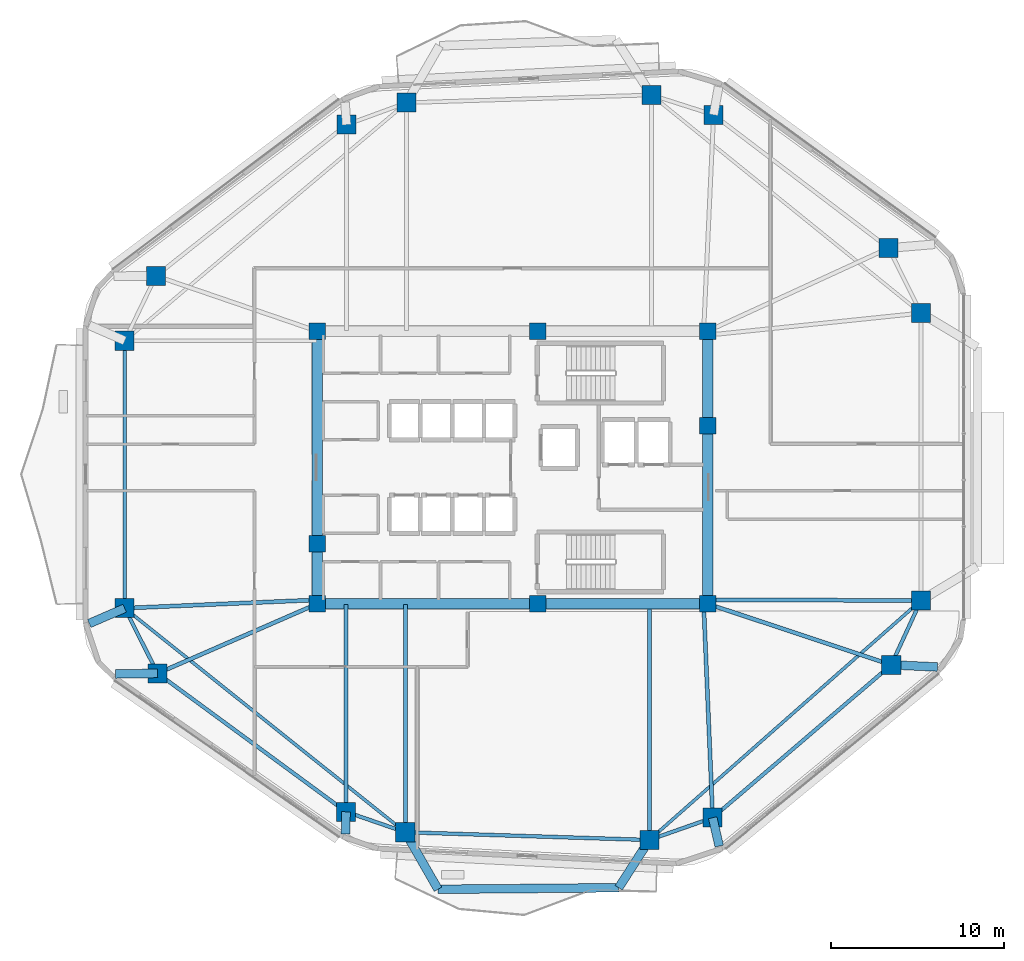
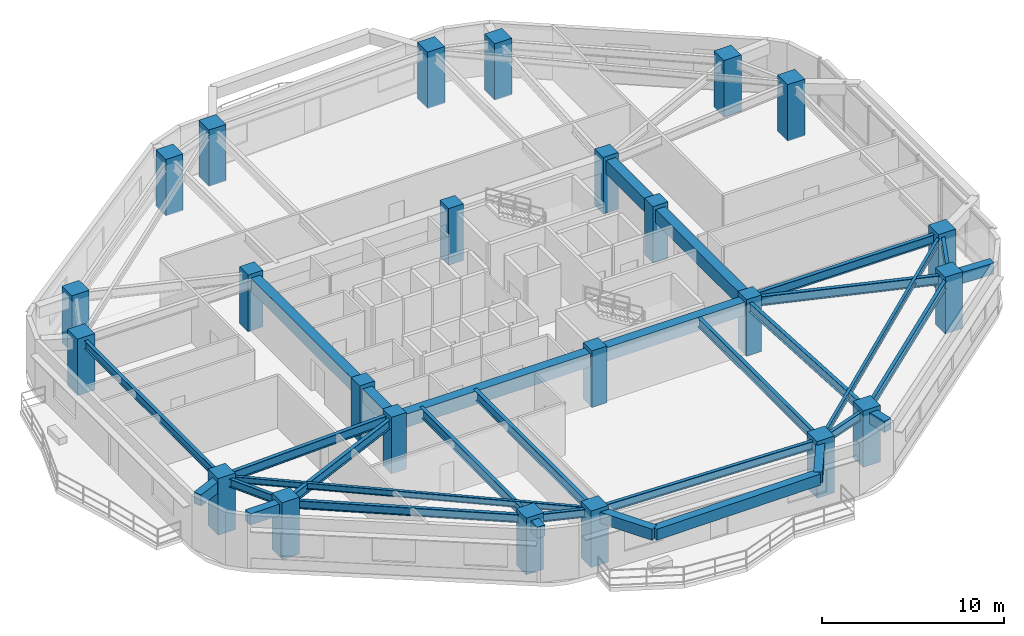
# One storey, part 1 of 15: 32 beams, 24 columns.
"""IFC4 building model written with IfcOpenShell, lengths in metres."""

import ifcopenshell
import ifcopenshell.guid

model = None  # the IFC model being written
_history = None  # IfcOwnerHistory: only IFC2X3 demands one
_inside = {}  # id of a spatial element -> (the spatial element, [elements in it])
_under = {}  # id of a project, library or spatial element -> (it, [spatial elements below it])
_declared = {}  # id of a project -> (the project, [libraries it declares])
_typed = {}  # id of a type object -> (the type object, [elements of that type])
_made_of = {}  # id of a material, layer set ... -> (it, [elements and type objects made of it])


def new_model(schema):
    """Start an empty IFC model of exactly this schema.

    Asked for "IFC4X3", IfcOpenShell would pick the latest addendum, in which some entities
    have other attributes; the version numbers below select the first issue.
    IFC2X3 requires an IfcOwnerHistory on every rooted entity: one is made here for all.
    """
    global model, _history
    if schema == "IFC4X3":
        model = ifcopenshell.file(schema_version=(4, 3, 0, 0))
    else:
        model = ifcopenshell.file(schema=schema)
    _inside.clear()
    _under.clear()
    _declared.clear()
    _typed.clear()
    _made_of.clear()
    _history = None
    if model.schema == "IFC2X3":
        org = make("IfcOrganization", Name="unknown")
        user = make(
            "IfcPersonAndOrganization",
            ThePerson=make("IfcPerson", FamilyName="unknown"),
            TheOrganization=org,
        )
        app = make(
            "IfcApplication",
            ApplicationDeveloper=org,
            Version="unknown",
            ApplicationFullName="unknown",
            ApplicationIdentifier="unknown",
        )
        _history = make(
            "IfcOwnerHistory",
            OwningUser=user,
            OwningApplication=app,
            ChangeAction="ADDED",
            CreationDate=0,
        )
    return model


def make(cls, **values):
    """One entity of the class cls with the attributes given. An attribute that is None is left unset."""
    return model.create_entity(
        cls, **{name: value for name, value in values.items() if value is not None}
    )


def rooted(cls, **values):
    """An entity with a GlobalId (a new one), such as an element, a storey or a relation."""
    return make(cls, GlobalId=ifcopenshell.guid.new(), OwnerHistory=_history, **values)


def si_unit(unit_type, name, prefix=None):
    """IfcSIUnit, for example si_unit("LENGTHUNIT", "METRE", prefix="MILLI")."""
    return make("IfcSIUnit", UnitType=unit_type, Prefix=prefix, Name=name)


def assignment(units):
    """IfcUnitAssignment: the units of a project."""
    return None if units is None else make("IfcUnitAssignment", Units=units)


def point(xyz):
    """IfcCartesianPoint."""
    return None if xyz is None else make("IfcCartesianPoint", Coordinates=xyz)


def direction(xyz):
    """IfcDirection."""
    return None if xyz is None else make("IfcDirection", DirectionRatios=xyz)


def frame(location, z_axis=None, x_axis=None):
    """IfcAxis2Placement3D, a coordinate frame: its origin and axes. An axis left out is left unset."""
    return make(
        "IfcAxis2Placement3D",
        Location=point(location),
        Axis=direction(z_axis),
        RefDirection=direction(x_axis),
    )


def frame_2d(location, x_axis=None):
    """IfcAxis2Placement2D, a coordinate frame in the plane: its origin and x axis."""
    return make(
        "IfcAxis2Placement2D", Location=point(location), RefDirection=direction(x_axis)
    )


def origin():
    """The frame at (0, 0, 0) with its axes left unset."""
    return frame((0.0, 0.0, 0.0))


def origin_2d():
    """The frame at (0, 0) in the plane with its x axis left unset."""
    return frame_2d((0.0, 0.0))


def place(relative_to, where):
    """IfcLocalPlacement: puts the frame where relative to a parent placement (None: the world)."""
    return make(
        "IfcLocalPlacement", PlacementRelTo=relative_to, RelativePlacement=where
    )


def context(
    kind, dimensions, precision=None, world=None, true_north=None, identifier=None
):
    """IfcGeometricRepresentationContext, for example the 3D "Model" context."""
    return make(
        "IfcGeometricRepresentationContext",
        ContextIdentifier=identifier,
        ContextType=kind,
        CoordinateSpaceDimension=dimensions,
        Precision=precision,
        WorldCoordinateSystem=world,
        TrueNorth=true_north,
    )


def subcontext(parent, identifier, kind, view, scale=None):
    """IfcGeometricRepresentationSubContext, for example "Body" below "Model"."""
    return make(
        "IfcGeometricRepresentationSubContext",
        ContextIdentifier=identifier,
        ContextType=kind,
        ParentContext=parent,
        TargetScale=scale,
        TargetView=view,
    )


def project(units=None, contexts=None):
    """IfcProject with its units and contexts."""
    return rooted(
        "IfcProject",
        Name="project",
        RepresentationContexts=contexts,
        UnitsInContext=assignment(units),
    )


def spatial(cls, under=None, at=None, **own):
    """A site, building, storey or space (cls), placed at a placement, below another one or the project."""
    s = rooted(cls, ObjectPlacement=at, **own)
    if under is not None:
        _under.setdefault(under.id(), (under, []))[1].append(s)
    return s


def profile(cls, at=None, kind="AREA", **sizes):
    """A parametric profile (cls). Its sizes go by their IFC names, for example OverallWidth=200.0."""
    return make(cls, ProfileType=kind, Position=at, **sizes)


def rectangle(**sizes):
    """IfcRectangleProfileDef."""
    return profile("IfcRectangleProfileDef", **sizes)


def i_section(**sizes):
    """IfcIShapeProfileDef."""
    return profile("IfcIShapeProfileDef", **sizes)


def extrude(swept, where, along, depth):
    """IfcExtrudedAreaSolid: the profile swept, set in the frame where, extruded along a direction by depth."""
    return make(
        "IfcExtrudedAreaSolid",
        SweptArea=swept,
        Position=where,
        ExtrudedDirection=direction(along),
        Depth=depth,
    )


def shape(context_of_items, identifier, shape_type, items):
    """IfcShapeRepresentation: the items that make up one representation, for example the "Body"."""
    return make(
        "IfcShapeRepresentation",
        ContextOfItems=context_of_items,
        RepresentationIdentifier=identifier,
        RepresentationType=shape_type,
        Items=items,
    )


def material(Name=None, Category=None):
    """IfcMaterial."""
    return make("IfcMaterial", Name=Name, Category=Category)


def material_profile(
    of_material, cross_section, Name=None, Category=None, Priority=None
):
    """IfcMaterialProfile: a cross section and its material."""
    return make(
        "IfcMaterialProfile",
        Name=Name,
        Material=of_material,
        Profile=cross_section,
        Priority=Priority,
        Category=Category,
    )


def profile_set(profiles, Name=None, composite=None):
    """IfcMaterialProfileSet."""
    return make(
        "IfcMaterialProfileSet",
        Name=Name,
        MaterialProfiles=profiles,
        CompositeProfile=composite,
    )


def made_of(thing, what):
    """Note that an element or type object is made of a material, layer set ...; save() writes the relation."""
    if what is not None:
        _made_of.setdefault(what.id(), (what, []))[1].append(thing)
    return thing


def type_object(cls, material=None, **own):
    """A type object (cls), such as IfcWallType, which elements share."""
    return made_of(rooted(cls, **own), material)


def element(
    cls,
    number,
    at=None,
    inside=None,
    cuts=None,
    type_object=None,
    material=None,
    context=None,
    identifier="Body",
    shape_type=None,
    held_by="IfcProductDefinitionShape",
    body=None,
    shapes=None,
    **own,
):
    """One element of the class cls, such as IfcWall. Its Tag is "e" and its number.

    at: its placement. inside: the storey or other place that contains it. cuts: it is an
    opening in that element (IfcRelVoidsElement). A single representation is given by context,
    identifier, shape_type and body (its items); several are given by shapes. held_by: the class
    of the entity that holds the representations. save() writes the other relations.
    """
    e = rooted(cls, Tag="e%d" % number, ObjectPlacement=at, **own)
    if body is not None:
        shapes = [shape(context, identifier, shape_type, body)]
    if shapes is not None:
        e.Representation = make(held_by, Representations=shapes)
    if inside is not None:
        _inside.setdefault(inside.id(), (inside, []))[1].append(e)
    if cuts is not None:
        rooted(
            "IfcRelVoidsElement", RelatingBuildingElement=cuts, RelatedOpeningElement=e
        )
    if type_object is not None:
        _typed.setdefault(type_object.id(), (type_object, []))[1].append(e)
    return made_of(e, material)


def aggregate(whole, parts):
    """IfcRelAggregates: a whole, such as a stair, and the parts it consists of."""
    return rooted("IfcRelAggregates", RelatingObject=whole, RelatedObjects=parts)


def save(model, path):
    """Write the relations noted so far, then the file.

    IfcRelAggregates (storeys below a building ...), IfcRelContainedInSpatialStructure (elements
    in a storey), IfcRelDefinesByType, IfcRelAssociatesMaterial and IfcRelDeclares: one each for
    every whole, place, type object, material and project.
    """
    for whole, parts in _under.values():
        aggregate(whole, parts)
    for where, things in _inside.values():
        rooted(
            "IfcRelContainedInSpatialStructure",
            RelatedElements=things,
            RelatingStructure=where,
        )
    for kind, things in _typed.values():
        rooted("IfcRelDefinesByType", RelatedObjects=things, RelatingType=kind)
    for what, things in _made_of.values():
        rooted("IfcRelAssociatesMaterial", RelatedObjects=things, RelatingMaterial=what)
    for by, libraries in _declared.values():
        rooted("IfcRelDeclares", RelatingContext=by, RelatedDefinitions=libraries)
    model.write(path)


model = new_model("IFC4")

# Units and contexts
model_context = context("Model", 3, precision=1e-05, world=origin(), true_north=direction((0.0, 1.0)))
body_context = subcontext(model_context, "Body", "Model", "MODEL_VIEW")
ifc_project = project(units=[si_unit("LENGTHUNIT", "METRE"), si_unit("AREAUNIT", "SQUARE_METRE"), si_unit("VOLUMEUNIT", "CUBIC_METRE"), si_unit("PLANEANGLEUNIT", "RADIAN"), si_unit("MASSUNIT", "GRAM", prefix="KILO")], contexts=[model_context])

# Site, building, storey
site_placement = place(None, origin())
site = spatial("IfcSite", under=ifc_project, at=site_placement, CompositionType="ELEMENT")
building_placement = place(site_placement, origin())
building = spatial("IfcBuilding", under=site, at=building_placement, Name="Zulverin Broadcast Headquarters", CompositionType="ELEMENT")
storey_placement = place(building_placement, frame((0.0, 0.0, 132.60009765625)))
storey = spatial("IfcBuildingStorey", under=building, at=storey_placement, Name="L33", CompositionType="ELEMENT", Elevation=132.60009765625)

# Columns
ifc_material_1 = material(Name="Concrete C60/75", Category="concrete")
ifc_material_profile_1 = material_profile(ifc_material_1, rectangle(XDim=1.10009765625, YDim=1.10009765625, at=origin_2d()), Name="Concrete C60/75", Category="concrete")
ifc_profile_set_1 = profile_set([ifc_material_profile_1], Name="Concrete C60/75")
column_type_1 = type_object("IfcColumnType", Name="COL-RC-1100", PredefinedType="COLUMN", material=ifc_profile_set_1)
for number, where, z_axis, x_axis, name in (
    (1, (30.80859375, 4.12744140625, 0.0), (0.0, 0.0, 1.0), (1.0, 0.0, 0.0), "L33 Perimeter Column T01"),
    (2, (44.909912109375, 3.68017578125, 0.0), (0.0, 0.0, 1.0), (1.0, 0.0, 0.0), "L33 Perimeter Column T02"),
    (3, (48.569580078125, 4.967041015625, 0.0), (0.0, 0.0, 1.0), (1.0, 0.0, 0.0), "L33 Perimeter Column T03"),
    (4, (58.886962890625, 13.798095703125, 0.0), (0.0, 0.0, 1.0), (1.0, 0.0, 0.0), "L33 Perimeter Column T04"),
    (5, (60.60009765625, 17.519287109375, 0.0), (0.0, 0.0, 1.0), (1.0, 0.0, 0.0), "L33 Perimeter Column T05"),
    (6, (60.60009765625, 34.12158203125, 0.0), (0.0, 0.0, 1.0), (1.0, 0.0, 0.0), "L33 Perimeter Column T06"),
    (7, (58.738037109375, 37.877685546875, 0.0), (0.0, 0.0, 1.0), (1.0, 0.0, 0.0), "L33 Perimeter Column T07"),
    (8, (48.62158203125, 45.574951171875, 0.0), (0.0, 0.0, 1.0), (1.0, 0.0, 0.0), "L33 Perimeter Column T08"),
    (9, (45.027587890625, 46.7236328125, 0.0), (0.0, 0.0, 1.0), (1.0, 0.0, 0.0), "L33 Perimeter Column T09"),
    (10, (30.882080078125, 46.27490234375, 0.0), (0.0, 0.0, 1.0), (1.0, 0.0, 0.0), "L33 Perimeter Column T10"),
    (11, (27.416259765625, 45.00439453125, 0.0), (0.0, 0.0, 1.0), (1.0, 0.0, 0.0), "L33 Perimeter Column T11"),
    (12, (16.40869140625, 36.26806640625, 0.0), (0.0, 0.0, 1.0), (1.0, 0.0, 0.0), "L33 Perimeter Column T12"),
    (13, (14.60009765625, 32.523193359375, 0.0), (0.0, 0.0, 1.0), (1.0, 0.0, 0.0), "L33 Perimeter Column T13"),
    (14, (14.60009765625, 17.072021484375, 0.0), (0.0, 0.0, 1.0), (1.0, 0.0, 0.0), "L33 Perimeter Column T14"),
    (15, (16.50537109375, 13.306884765625, 0.0), (0.0, 0.0, 1.0), (1.0, 0.0, 0.0), "L33 Perimeter Column T15"),
    (16, (27.38720703125, 5.309814453125, 0.0), (0.0, 0.0, 1.0), (1.0, 0.0, 0.0), "L33 Perimeter Column T16"),
):
    element("IfcColumn", number, at=place(storey_placement, frame(where, z_axis=z_axis, x_axis=x_axis)), inside=storey, type_object=column_type_1, Name=name, PredefinedType="COLUMN", context=body_context, shape_type="SweptSolid", body=[
        extrude(rectangle(XDim=1.10009765625, YDim=1.10009765625, at=origin_2d()), origin(), (0.0, 0.0, 1.0), 3.7998046875),
    ])
ifc_material_2 = material(Name="Concrete C50/60", Category="concrete")
ifc_material_profile_2 = material_profile(ifc_material_2, rectangle(XDim=0.949951171875, YDim=0.949951171875, at=origin_2d()), Name="Concrete C50/60", Category="concrete")
ifc_profile_set_2 = profile_set([ifc_material_profile_2], Name="Concrete C50/60")
column_type_2 = type_object("IfcColumnType", Name="PIL-RC-950", PredefinedType="PILASTER", material=ifc_profile_set_2)
for number, where, z_axis, x_axis, name in (
    (17, (25.72509765625, 17.324951171875, 0.0), (0.0, 0.0, 1.0), (1.0, 0.0, 0.0), "L33 Core Pilaster K01"),
    (18, (38.449951171875, 17.324951171875, 0.0), (0.0, 0.0, 1.0), (1.0, 0.0, 0.0), "L33 Core Pilaster K02"),
    (19, (48.27490234375, 17.324951171875, 0.0), (0.0, 0.0, 1.0), (1.0, 0.0, 0.0), "L33 Core Pilaster K03"),
    (20, (48.27490234375, 27.6201171875, 0.0), (0.0, 0.0, 1.0), (1.0, 0.0, 0.0), "L33 Core Pilaster K04"),
    (21, (48.27490234375, 33.074951171875, 0.0), (0.0, 0.0, 1.0), (1.0, 0.0, 0.0), "L33 Core Pilaster K05"),
    (22, (38.449951171875, 33.074951171875, 0.0), (0.0, 0.0, 1.0), (1.0, 0.0, 0.0), "L33 Core Pilaster K06"),
    (23, (25.72509765625, 33.074951171875, 0.0), (0.0, 0.0, 1.0), (1.0, 0.0, 0.0), "L33 Core Pilaster K07"),
    (24, (25.72509765625, 20.800048828125, 0.0), (0.0, 0.0, 1.0), (1.0, 0.0, 0.0), "L33 Core Pilaster K08"),
):
    element("IfcColumn", number, at=place(storey_placement, frame(where, z_axis=z_axis, x_axis=x_axis)), inside=storey, type_object=column_type_2, Name=name, PredefinedType="PILASTER", context=body_context, shape_type="SweptSolid", body=[
        extrude(rectangle(XDim=0.949951171875, YDim=0.949951171875, at=origin_2d()), origin(), (0.0, 0.0, 1.0), 3.7998046875),
    ])

# Beams
ifc_material_profile_3 = material_profile(ifc_material_1, rectangle(XDim=0.60009765625, YDim=0.89990234375, at=origin_2d()), Name="Concrete C60/75", Category="concrete")
ifc_profile_set_3 = profile_set([ifc_material_profile_3], Name="Concrete C60/75")
beam_type_1 = type_object("IfcBeamType", Name="BM-CB-600x900", PredefinedType="LINTEL", material=ifc_profile_set_3)
beam_1_placement = place(storey_placement, frame((25.72509765625, 17.324951171875, 3.08984375), z_axis=(1.0, 0.0, 0.0), x_axis=(0.0, 1.0, 0.0)))
element("IfcBeam", 25, at=beam_1_placement, inside=storey, type_object=beam_type_1, Name="L33 Core Coupling Girder K01-K02", PredefinedType="LINTEL", context=body_context, shape_type="SweptSolid", body=[
    extrude(rectangle(XDim=0.60009765625, YDim=0.89990234375, at=origin_2d()), origin(), (0.0, 0.0, 1.0), 12.724853515625),
])
beam_2_placement = place(storey_placement, frame((38.449951171875, 17.324951171875, 3.08984375), z_axis=(1.0, 0.0, 0.0), x_axis=(0.0, 1.0, 0.0)))
element("IfcBeam", 26, at=beam_2_placement, inside=storey, type_object=beam_type_1, Name="L33 Core Coupling Girder K02-K03", PredefinedType="LINTEL", context=body_context, shape_type="SweptSolid", body=[
    extrude(rectangle(XDim=0.60009765625, YDim=0.89990234375, at=origin_2d()), origin(), (0.0, 0.0, 1.0), 9.824951171875),
])
beam_3_placement = place(storey_placement, frame((48.27490234375, 17.324951171875, 3.08984375), z_axis=(0.0, 1.0, 0.0), x_axis=(-1.0, 0.0, 0.0)))
element("IfcBeam", 27, at=beam_3_placement, inside=storey, type_object=beam_type_1, Name="L33 Core Coupling Girder K03-K04", PredefinedType="LINTEL", context=body_context, shape_type="SweptSolid", body=[
    extrude(rectangle(XDim=0.60009765625, YDim=0.89990234375, at=origin_2d()), origin(), (0.0, 0.0, 1.0), 10.295166015625),
])
beam_4_placement = place(storey_placement, frame((48.27490234375, 27.6201171875, 3.08984375), z_axis=(0.0, 1.0, 0.0), x_axis=(-1.0, 0.0, 0.0)))
element("IfcBeam", 28, at=beam_4_placement, inside=storey, type_object=beam_type_1, Name="L33 Core Coupling Girder K04-K05", PredefinedType="LINTEL", context=body_context, shape_type="SweptSolid", body=[
    extrude(rectangle(XDim=0.60009765625, YDim=0.89990234375, at=origin_2d()), origin(), (0.0, 0.0, 1.0), 5.454833984375),
])
beam_5_placement = place(storey_placement, frame((25.72509765625, 33.074951171875, 3.08984375), z_axis=(0.0, -1.0, 0.0), x_axis=(1.0, 0.0, 0.0)))
element("IfcBeam", 29, at=beam_5_placement, inside=storey, type_object=beam_type_1, Name="L33 Core Coupling Girder K07-K08", PredefinedType="LINTEL", context=body_context, shape_type="SweptSolid", body=[
    extrude(rectangle(XDim=0.60009765625, YDim=0.89990234375, at=origin_2d()), origin(), (0.0, 0.0, 1.0), 12.27490234375),
])
beam_6_placement = place(storey_placement, frame((25.72509765625, 20.800048828125, 3.08984375), z_axis=(0.0, -1.0, 0.0), x_axis=(1.0, 0.0, 0.0)))
element("IfcBeam", 30, at=beam_6_placement, inside=storey, type_object=beam_type_1, Name="L33 Core Coupling Girder K08-K01", PredefinedType="LINTEL", context=body_context, shape_type="SweptSolid", body=[
    extrude(rectangle(XDim=0.60009765625, YDim=0.89990234375, at=origin_2d()), origin(), (0.0, 0.0, 1.0), 3.47509765625),
])
ifc_material_3 = material(Name="Concrete C40/50", Category="concrete")
ifc_material_profile_4 = material_profile(ifc_material_3, rectangle(XDim=0.5, YDim=0.75, at=origin_2d()), Name="Concrete C40/50", Category="concrete")
ifc_profile_set_4 = profile_set([ifc_material_profile_4], Name="Concrete C40/50")
beam_type_2 = type_object("IfcBeamType", Name="BM-RC-500x750", PredefinedType="BEAM", material=ifc_profile_set_4)
beam_7_placement = place(storey_placement, frame((48.569580078125, 4.967041015625, 3.164794921875), z_axis=(0.224096721795, -0.974566908571, 0.0), x_axis=(0.974566908571, 0.224096721795, 0.0)))
element("IfcBeam", 31, at=beam_7_placement, inside=storey, type_object=beam_type_2, Name="L34 Plate Overhang Back-Spanned Beam OVR-03", PredefinedType="BEAM", context=body_context, shape_type="SweptSolid", body=[
    extrude(rectangle(XDim=0.5, YDim=0.75, at=origin_2d()), origin(), (0.0, 0.0, 1.0), 1.68310546875),
])
beam_8_placement = place(storey_placement, frame((58.886962890625, 13.798095703125, 3.164794921875), z_axis=(0.998923539617, -0.046387088715, 0.0), x_axis=(0.046387088715, 0.998923539617, 0.0)))
element("IfcBeam", 32, at=beam_8_placement, inside=storey, type_object=beam_type_2, Name="L34 Plate Overhang Back-Spanned Beam OVR-04", PredefinedType="BEAM", context=body_context, shape_type="SweptSolid", body=[
    extrude(rectangle(XDim=0.5, YDim=0.75, at=origin_2d()), origin(), (0.0, 0.0, 1.0), 2.66845703125),
])
beam_9_placement = place(storey_placement, frame((14.60009765625, 17.072021484375, 3.164794921875), z_axis=(-0.918101238182, -0.396345955509, 0.0), x_axis=(0.396345955509, -0.918101238182, 0.0)))
element("IfcBeam", 33, at=beam_9_placement, inside=storey, type_object=beam_type_2, Name="L34 Plate Overhang Back-Spanned Beam OVR-14", PredefinedType="BEAM", context=body_context, shape_type="SweptSolid", body=[
    extrude(rectangle(XDim=0.5, YDim=0.75, at=origin_2d()), origin(), (0.0, 0.0, 1.0), 2.23291015625),
])
beam_10_placement = place(storey_placement, frame((16.50537109375, 13.306884765625, 3.164794921875), z_axis=(-0.999905564875, -0.013742682824, 0.0), x_axis=(0.013742682824, -0.999905564875, 0.0)))
element("IfcBeam", 34, at=beam_10_placement, inside=storey, type_object=beam_type_2, Name="L34 Plate Overhang Back-Spanned Beam OVR-15", PredefinedType="BEAM", context=body_context, shape_type="SweptSolid", body=[
    extrude(rectangle(XDim=0.5, YDim=0.75, at=origin_2d()), origin(), (0.0, 0.0, 1.0), 2.433837890625),
])
beam_11_placement = place(storey_placement, frame((27.38720703125, 5.309814453125, 3.164794921875), z_axis=(-0.025087158809, -0.999685267703, 0.0), x_axis=(0.999685267703, -0.025087158809, 0.0)))
element("IfcBeam", 35, at=beam_11_placement, inside=storey, type_object=beam_type_2, Name="L34 Plate Overhang Back-Spanned Beam OVR-16", PredefinedType="BEAM", context=body_context, shape_type="SweptSolid", body=[
    extrude(rectangle(XDim=0.5, YDim=0.75, at=origin_2d()), origin(), (0.0, 0.0, 1.0), 1.28466796875),
])
beam_12_placement = place(storey_placement, frame((30.80859375, 4.12744140625, 3.164794921875), z_axis=(0.498123432757, -0.867106132915, 0.0), x_axis=(0.867106132915, 0.498123432757, 0.0)))
element("IfcBeam", 36, at=beam_12_placement, inside=storey, type_object=beam_type_2, Name="L34 Balcony Column-Framed Cantilever BAL_S-1", PredefinedType="BEAM", context=body_context, shape_type="SweptSolid", body=[
    extrude(rectangle(XDim=0.5, YDim=0.75, at=origin_2d()), origin(), (0.0, 0.0, 1.0), 3.7998046875),
])
beam_13_placement = place(storey_placement, frame((44.909912109375, 3.68017578125, 3.164794921875), z_axis=(-0.539947722798, -0.841698554499, 0.0), x_axis=(0.841698554499, -0.539947722798, 0.0)))
element("IfcBeam", 37, at=beam_13_placement, inside=storey, type_object=beam_type_2, Name="L34 Balcony Column-Framed Cantilever BAL_S-2", PredefinedType="BEAM", context=body_context, shape_type="SweptSolid", body=[
    extrude(rectangle(XDim=0.5, YDim=0.75, at=origin_2d()), origin(), (0.0, 0.0, 1.0), 3.27685546875),
])
beam_14_placement = place(storey_placement, frame((32.701416015625, 0.83251953125, 3.164794921875), z_axis=(0.99996316819, 0.00858267225, 0.0), x_axis=(-0.00858267225, 0.99996316819, 0.0)))
element("IfcBeam", 38, at=beam_14_placement, inside=storey, type_object=beam_type_2, Name="L34 Balcony Outer Edge Trimmer Beam BAL_S", PredefinedType="BEAM", context=body_context, shape_type="SweptSolid", body=[
    extrude(rectangle(XDim=0.5, YDim=0.75, at=origin_2d()), origin(), (0.0, 0.0, 1.0), 10.439697265625),
])
ifc_material_4 = material(Name="Structural steel S355JR", Category="steel")
ifc_material_profile_5 = material_profile(ifc_material_4, i_section(OverallWidth=0.179443359375, OverallDepth=0.412841796875, WebThickness=0.009521484375, FlangeThickness=0.01611328125, at=origin_2d()), Name="Structural steel S355JR", Category="steel")
ifc_profile_set_5 = profile_set([ifc_material_profile_5], Name="Structural steel S355JR")
beam_type_3 = type_object("IfcBeamType", Name="BM-UB-406", PredefinedType="JOIST", material=ifc_profile_set_5)
beam_15_placement = place(storey_placement, frame((44.909912109375, 3.68017578125, 3.33349609375), z_axis=(0.74996043981, 0.661482682102, 0.0), x_axis=(-0.661482682102, 0.74996043981, 0.0)))
element("IfcBeam", 39, at=beam_15_placement, inside=storey, type_object=beam_type_3, Name="L33 Chordal Floor Joist J-01", PredefinedType="JOIST", context=body_context, shape_type="SweptSolid", body=[
    extrude(i_section(OverallWidth=0.179443359375, OverallDepth=0.412841796875, WebThickness=0.009521484375, FlangeThickness=0.01611328125, at=origin_2d()), origin(), (0.0, 0.0, 1.0), 20.92138671875),
])
beam_16_placement = place(storey_placement, frame((14.60009765625, 17.072021484375, 3.33349609375), z_axis=(0.781390996609, -0.624041753746, 0.0), x_axis=(0.624041753746, 0.781390996609, 0.0)))
element("IfcBeam", 40, at=beam_16_placement, inside=storey, type_object=beam_type_3, Name="L33 Chordal Floor Joist J-04", PredefinedType="JOIST", context=body_context, shape_type="SweptSolid", body=[
    extrude(i_section(OverallWidth=0.179443359375, OverallDepth=0.412841796875, WebThickness=0.009521484375, FlangeThickness=0.01611328125, at=origin_2d()), origin(), (0.0, 0.0, 1.0), 20.7431640625),
])
ifc_material_profile_6 = material_profile(ifc_material_4, i_section(OverallWidth=0.2119140625, OverallDepth=0.54443359375, WebThickness=0.0126953125, FlangeThickness=0.021240234375, at=origin_2d()), Name="Structural steel S355JR", Category="steel")
ifc_profile_set_6 = profile_set([ifc_material_profile_6], Name="Structural steel S355JR")
beam_type_4 = type_object("IfcBeamType", Name="BM-UB-533", PredefinedType="SPANDREL", material=ifc_profile_set_6)
beam_17_placement = place(storey_placement, frame((30.80859375, 4.12744140625, 3.267578125), z_axis=(0.999497363437, -0.031702058031, 0.0), x_axis=(0.031702058031, 0.999497363437, 0.0)))
element("IfcBeam", 41, at=beam_17_placement, inside=storey, type_object=beam_type_4, Name="L33 Perimeter Spandrel Beam SP-01", PredefinedType="SPANDREL", context=body_context, shape_type="SweptSolid", body=[
    extrude(i_section(OverallWidth=0.2119140625, OverallDepth=0.54443359375, WebThickness=0.0126953125, FlangeThickness=0.021240234375, at=origin_2d()), origin(), (0.0, 0.0, 1.0), 14.1083984375),
])
beam_18_placement = place(storey_placement, frame((44.909912109375, 3.68017578125, 3.267578125), z_axis=(0.943376593622, 0.331723684121, 0.0), x_axis=(-0.331723684121, 0.943376593622, 0.0)))
element("IfcBeam", 42, at=beam_18_placement, inside=storey, type_object=beam_type_4, Name="L33 Perimeter Spandrel Beam SP-02", PredefinedType="SPANDREL", context=body_context, shape_type="SweptSolid", body=[
    extrude(i_section(OverallWidth=0.2119140625, OverallDepth=0.54443359375, WebThickness=0.0126953125, FlangeThickness=0.021240234375, at=origin_2d()), origin(), (0.0, 0.0, 1.0), 3.87939453125),
])
beam_19_placement = place(storey_placement, frame((48.569580078125, 4.967041015625, 3.267578125), z_axis=(0.759708170965, 0.650264173217, 0.0), x_axis=(-0.650264173217, 0.759708170965, 0.0)))
element("IfcBeam", 43, at=beam_19_placement, inside=storey, type_object=beam_type_4, Name="L33 Perimeter Spandrel Beam SP-03", PredefinedType="SPANDREL", context=body_context, shape_type="SweptSolid", body=[
    extrude(i_section(OverallWidth=0.2119140625, OverallDepth=0.54443359375, WebThickness=0.0126953125, FlangeThickness=0.021240234375, at=origin_2d()), origin(), (0.0, 0.0, 1.0), 13.580810546875),
])
beam_20_placement = place(storey_placement, frame((58.886962890625, 13.798095703125, 3.267578125), z_axis=(0.418184975358, 0.90836189175, 0.0), x_axis=(-0.90836189175, 0.418184975358, 0.0)))
element("IfcBeam", 44, at=beam_20_placement, inside=storey, type_object=beam_type_4, Name="L33 Perimeter Spandrel Beam SP-04", PredefinedType="SPANDREL", context=body_context, shape_type="SweptSolid", body=[
    extrude(i_section(OverallWidth=0.2119140625, OverallDepth=0.54443359375, WebThickness=0.0126953125, FlangeThickness=0.021240234375, at=origin_2d()), origin(), (0.0, 0.0, 1.0), 4.0966796875),
])
beam_21_placement = place(storey_placement, frame((14.60009765625, 32.523193359375, 3.267578125), z_axis=(0.0, -1.0, 0.0), x_axis=(1.0, 0.0, 0.0)))
element("IfcBeam", 45, at=beam_21_placement, inside=storey, type_object=beam_type_4, Name="L33 Perimeter Spandrel Beam SP-13", PredefinedType="SPANDREL", context=body_context, shape_type="SweptSolid", body=[
    extrude(i_section(OverallWidth=0.2119140625, OverallDepth=0.54443359375, WebThickness=0.0126953125, FlangeThickness=0.021240234375, at=origin_2d()), origin(), (0.0, 0.0, 1.0), 15.451171875),
])
beam_22_placement = place(storey_placement, frame((14.60009765625, 17.072021484375, 3.267578125), z_axis=(0.451512947895, -0.892264567201, 0.0), x_axis=(0.892264567201, 0.451512947895, 0.0)))
element("IfcBeam", 46, at=beam_22_placement, inside=storey, type_object=beam_type_4, Name="L33 Perimeter Spandrel Beam SP-14", PredefinedType="SPANDREL", context=body_context, shape_type="SweptSolid", body=[
    extrude(i_section(OverallWidth=0.2119140625, OverallDepth=0.54443359375, WebThickness=0.0126953125, FlangeThickness=0.021240234375, at=origin_2d()), origin(), (0.0, 0.0, 1.0), 4.2197265625),
])
beam_23_placement = place(storey_placement, frame((16.50537109375, 13.306884765625, 3.267578125), z_axis=(0.805802234061, -0.592184734338, 0.0), x_axis=(0.592184734338, 0.805802234061, 0.0)))
element("IfcBeam", 47, at=beam_23_placement, inside=storey, type_object=beam_type_4, Name="L33 Perimeter Spandrel Beam SP-15", PredefinedType="SPANDREL", context=body_context, shape_type="SweptSolid", body=[
    extrude(i_section(OverallWidth=0.2119140625, OverallDepth=0.54443359375, WebThickness=0.0126953125, FlangeThickness=0.021240234375, at=origin_2d()), origin(), (0.0, 0.0, 1.0), 13.50439453125),
])
beam_24_placement = place(storey_placement, frame((27.38720703125, 5.309814453125, 3.267578125), z_axis=(0.945152732867, -0.326628705956, 0.0), x_axis=(0.326628705956, 0.945152732867, 0.0)))
element("IfcBeam", 48, at=beam_24_placement, inside=storey, type_object=beam_type_4, Name="L33 Perimeter Spandrel Beam SP-16", PredefinedType="SPANDREL", context=body_context, shape_type="SweptSolid", body=[
    extrude(i_section(OverallWidth=0.2119140625, OverallDepth=0.54443359375, WebThickness=0.0126953125, FlangeThickness=0.021240234375, at=origin_2d()), origin(), (0.0, 0.0, 1.0), 3.619873046875),
])
ifc_material_profile_7 = material_profile(ifc_material_4, i_section(OverallWidth=0.230224609375, OverallDepth=0.6171875, WebThickness=0.01318359375, FlangeThickness=0.022216796875, at=origin_2d()), Name="Structural steel S355JR", Category="steel")
ifc_profile_set_7 = profile_set([ifc_material_profile_7], Name="Structural steel S355JR")
beam_type_5 = type_object("IfcBeamType", Name="BM-UB-610", PredefinedType="BEAM", material=ifc_profile_set_7)
beam_25_placement = place(storey_placement, frame((30.80859375, 17.27490234375, 3.231201171875), z_axis=(0.0, -1.0, 0.0), x_axis=(1.0, 0.0, 0.0)))
element("IfcBeam", 49, at=beam_25_placement, inside=storey, type_object=beam_type_5, Name="L33 Radial Primary Floor Beam RB-01", PredefinedType="BEAM", context=body_context, shape_type="SweptSolid", body=[
    extrude(i_section(OverallWidth=0.230224609375, OverallDepth=0.6171875, WebThickness=0.01318359375, FlangeThickness=0.022216796875, at=origin_2d()), origin(), (0.0, 0.0, 1.0), 13.1474609375),
])
beam_26_placement = place(storey_placement, frame((44.909912109375, 17.27490234375, 3.231201171875), z_axis=(0.0, -1.0, 0.0), x_axis=(1.0, 0.0, 0.0)))
element("IfcBeam", 50, at=beam_26_placement, inside=storey, type_object=beam_type_5, Name="L33 Radial Primary Floor Beam RB-02", PredefinedType="BEAM", context=body_context, shape_type="SweptSolid", body=[
    extrude(i_section(OverallWidth=0.230224609375, OverallDepth=0.6171875, WebThickness=0.01318359375, FlangeThickness=0.022216796875, at=origin_2d()), origin(), (0.0, 0.0, 1.0), 13.5947265625),
])
beam_27_placement = place(storey_placement, frame((48.050048828125, 17.27490234375, 3.231201171875), z_axis=(0.042173778549, -0.99911029041, 0.0), x_axis=(0.99911029041, 0.042173778549, 0.0)))
element("IfcBeam", 51, at=beam_27_placement, inside=storey, type_object=beam_type_5, Name="L33 Radial Primary Floor Beam RB-03", PredefinedType="BEAM", context=body_context, shape_type="SweptSolid", body=[
    extrude(i_section(OverallWidth=0.230224609375, OverallDepth=0.6171875, WebThickness=0.01318359375, FlangeThickness=0.022216796875, at=origin_2d()), origin(), (0.0, 0.0, 1.0), 12.31884765625),
])
beam_28_placement = place(storey_placement, frame((48.27490234375, 17.324951171875, 3.231201171875), z_axis=(0.948964552547, -0.315382748432, 0.0), x_axis=(0.315382748432, 0.948964552547, 0.0)))
element("IfcBeam", 52, at=beam_28_placement, inside=storey, type_object=beam_type_5, Name="L33 Radial Primary Floor Beam RB-04", PredefinedType="BEAM", context=body_context, shape_type="SweptSolid", body=[
    extrude(i_section(OverallWidth=0.230224609375, OverallDepth=0.6171875, WebThickness=0.01318359375, FlangeThickness=0.022216796875, at=origin_2d()), origin(), (0.0, 0.0, 1.0), 11.182861328125),
])
beam_29_placement = place(storey_placement, frame((48.324951171875, 17.550048828125, 3.231201171875), z_axis=(0.999996859956, -0.002506008559, 0.0), x_axis=(0.002506008559, 0.999996859956, 0.0)))
element("IfcBeam", 53, at=beam_29_placement, inside=storey, type_object=beam_type_5, Name="L33 Radial Primary Floor Beam RB-05", PredefinedType="BEAM", context=body_context, shape_type="SweptSolid", body=[
    extrude(i_section(OverallWidth=0.230224609375, OverallDepth=0.6171875, WebThickness=0.01318359375, FlangeThickness=0.022216796875, at=origin_2d()), origin(), (0.0, 0.0, 1.0), 12.275146484375),
])
beam_30_placement = place(storey_placement, frame((25.675048828125, 17.550048828125, 3.231201171875), z_axis=(-0.999069780306, -0.043122779134, 0.0), x_axis=(0.043122779134, -0.999069780306, 0.0)))
element("IfcBeam", 54, at=beam_30_placement, inside=storey, type_object=beam_type_5, Name="L33 Radial Primary Floor Beam RB-14", PredefinedType="BEAM", context=body_context, shape_type="SweptSolid", body=[
    extrude(i_section(OverallWidth=0.230224609375, OverallDepth=0.6171875, WebThickness=0.01318359375, FlangeThickness=0.022216796875, at=origin_2d()), origin(), (0.0, 0.0, 1.0), 11.085205078125),
])
beam_31_placement = place(storey_placement, frame((25.72509765625, 17.324951171875, 3.231201171875), z_axis=(-0.916724690104, -0.39951951461, 0.0), x_axis=(0.39951951461, -0.916724690104, 0.0)))
element("IfcBeam", 55, at=beam_31_placement, inside=storey, type_object=beam_type_5, Name="L33 Radial Primary Floor Beam RB-15", PredefinedType="BEAM", context=body_context, shape_type="SweptSolid", body=[
    extrude(i_section(OverallWidth=0.230224609375, OverallDepth=0.6171875, WebThickness=0.01318359375, FlangeThickness=0.022216796875, at=origin_2d()), origin(), (0.0, 0.0, 1.0), 10.05712890625),
])
beam_32_placement = place(storey_placement, frame((27.38720703125, 17.27490234375, 3.231201171875), z_axis=(0.0, -1.0, 0.0), x_axis=(1.0, 0.0, 0.0)))
element("IfcBeam", 56, at=beam_32_placement, inside=storey, type_object=beam_type_5, Name="L33 Radial Primary Floor Beam RB-16", PredefinedType="BEAM", context=body_context, shape_type="SweptSolid", body=[
    extrude(i_section(OverallWidth=0.230224609375, OverallDepth=0.6171875, WebThickness=0.01318359375, FlangeThickness=0.022216796875, at=origin_2d()), origin(), (0.0, 0.0, 1.0), 11.965087890625),
])

save(model, "model.ifc")
